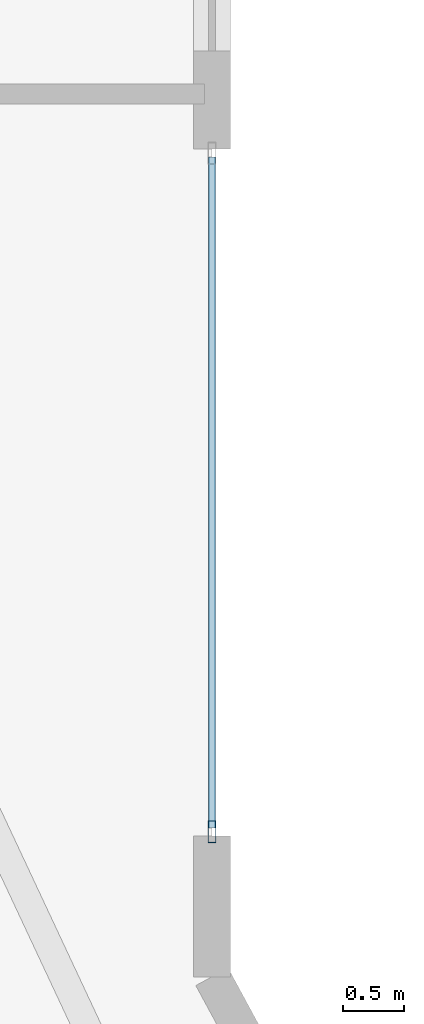
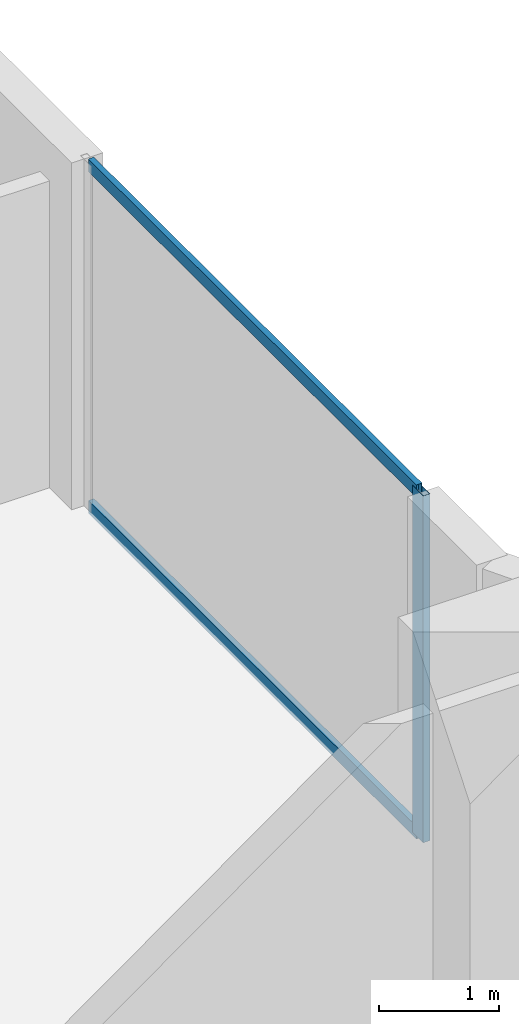
# One storey, part 15 of 32: 3 members, 1 element without a shape of its own.
"""IFC4 building model written with IfcOpenShell, lengths in metres."""

from ifc_helpers import new_model, si_unit, direction, frame, origin, origin_2d, place, context, subcontext, project, spatial, hollow_rectangle, extrude, material, layer, layer_set, material_profile, profile_set, type_object, element, aggregate, save


model = new_model("IFC4")

# Units and contexts
model_context = context("Model", 3, precision=1e-05, world=origin(), true_north=direction((0.0, 1.0)))
body_context = subcontext(model_context, "Body", "Model", "MODEL_VIEW")
ifc_project = project(units=[si_unit("LENGTHUNIT", "METRE"), si_unit("AREAUNIT", "SQUARE_METRE"), si_unit("VOLUMEUNIT", "CUBIC_METRE"), si_unit("PLANEANGLEUNIT", "RADIAN"), si_unit("MASSUNIT", "GRAM", prefix="KILO")], contexts=[model_context])

# Site, building, storey
site_placement = place(None, origin())
site = spatial("IfcSite", under=ifc_project, at=site_placement, CompositionType="ELEMENT")
building_placement = place(site_placement, origin())
building = spatial("IfcBuilding", under=site, at=building_placement, Name="Zuhayl Quay Hotel", CompositionType="ELEMENT")
storey_placement = place(building_placement, frame((0.0, 0.0, 218.64990234375)))
storey = spatial("IfcBuildingStorey", under=building, at=storey_placement, Name="L55", CompositionType="ELEMENT", Elevation=218.64990234375)

# Curtain wall, members
ifc_material_1 = material(Name="Anodised Aluminium 6063-T6", Category="aluminium")
ifc_layer = layer(ifc_material_1, 0.175048828125, Name="Anodised Aluminium 6063-T6", Category="aluminium")
ifc_layer_set = layer_set([ifc_layer], Name="Anodised Aluminium 6063-T6")
curtain_wall_type = type_object("IfcCurtainWallType", Name="CW_SYS_Z3", PredefinedType="USERDEFINED", material=ifc_layer_set)
curtain_wall_placement = place(storey_placement, origin())
curtain_wall = element("IfcCurtainWall", 1, at=curtain_wall_placement, inside=storey, type_object=curtain_wall_type, Name="L55 Curtain Wall ENV_L55_E11_CW1", ObjectType="UNITISED CURTAIN WALL", PredefinedType="USERDEFINED")
ifc_material_2 = material(Name="Black-anodised aluminium 6063-T6", Category="aluminium")
ifc_material_profile_1 = material_profile(ifc_material_2, hollow_rectangle(XDim=0.06494140625, YDim=0.179931640625, WallThickness=0.00341796875, at=origin_2d()), Name="ALU180X65")
ifc_profile_set_1 = profile_set([ifc_material_profile_1], Name="Black-anodised aluminium 6063-T6")
member_type_1 = type_object("IfcMemberType", Name="MB_CW_MUL_180", PredefinedType="MULLION", material=ifc_profile_set_1)
member_1_placement = place(storey_placement, frame((22.10009765625, 18.982421875, 0.0), z_axis=(0.0, 0.0, 1.0), x_axis=(1.0, 0.0, 0.0)))
member_1 = element("IfcMember", 2, at=member_1_placement, type_object=member_type_1, Name="CW-Z3 mullion 2", PredefinedType="MULLION", context=body_context, shape_type="SweptSolid", body=[
    extrude(hollow_rectangle(XDim=0.06494140625, YDim=0.179931640625, WallThickness=0.00341796875, at=origin_2d()), origin(), (0.0, 0.0, 1.0), 3.530029296875),
])
ifc_material_profile_2 = material_profile(ifc_material_2, hollow_rectangle(XDim=0.054931640625, YDim=0.1298828125, WallThickness=0.0029296875, at=origin_2d()), Name="ALU130X55")
ifc_profile_set_2 = profile_set([ifc_material_profile_2], Name="Black-anodised aluminium 6063-T6")
member_type_2 = type_object("IfcMemberType", Name="MB_CW_TRN_130", PredefinedType="USERDEFINED", material=ifc_profile_set_2)
member_2_placement = place(storey_placement, frame((22.10009765625, 24.485107421875, 0.027587890625), z_axis=(0.0, -1.0, 0.0), x_axis=(1.0, 0.0, 0.0)))
member_2 = element("IfcMember", 3, at=member_2_placement, type_object=member_type_2, Name="CW-Z3 transom 1.1", ObjectType="TRANSOM", PredefinedType="USERDEFINED", context=body_context, shape_type="SweptSolid", body=[
    extrude(hollow_rectangle(XDim=0.054931640625, YDim=0.1298828125, WallThickness=0.0029296875, at=origin_2d()), origin(), (0.0, 0.0, 1.0), 5.47021484375),
])
member_3_placement = place(storey_placement, frame((22.10009765625, 24.485107421875, 3.502685546875), z_axis=(0.0, -1.0, 0.0), x_axis=(1.0, 0.0, 0.0)))
member_3 = element("IfcMember", 4, at=member_3_placement, type_object=member_type_2, Name="CW-Z3 transom 1.2", ObjectType="TRANSOM", PredefinedType="USERDEFINED", context=body_context, shape_type="SweptSolid", body=[
    extrude(hollow_rectangle(XDim=0.054931640625, YDim=0.1298828125, WallThickness=0.0029296875, at=origin_2d()), origin(), (0.0, 0.0, 1.0), 5.47021484375),
])
aggregate(curtain_wall, [member_1, member_2, member_3])

save(model, "model.ifc")
